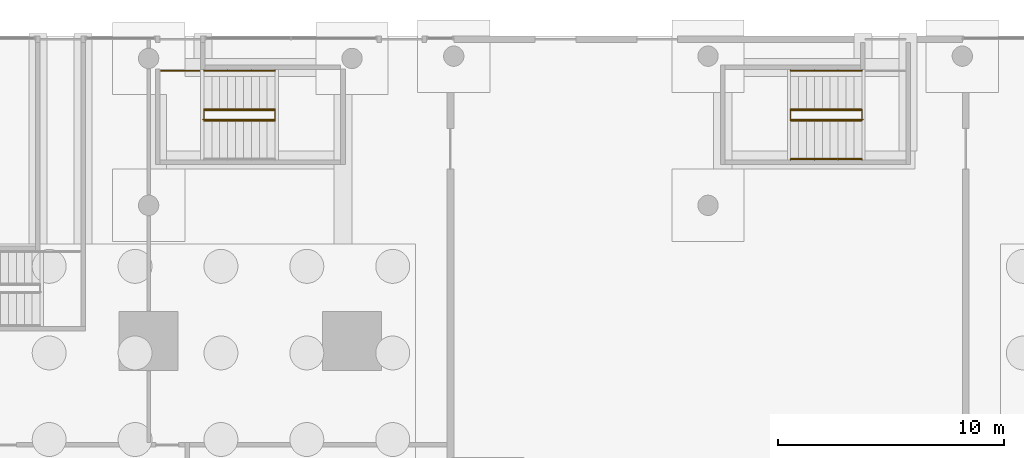
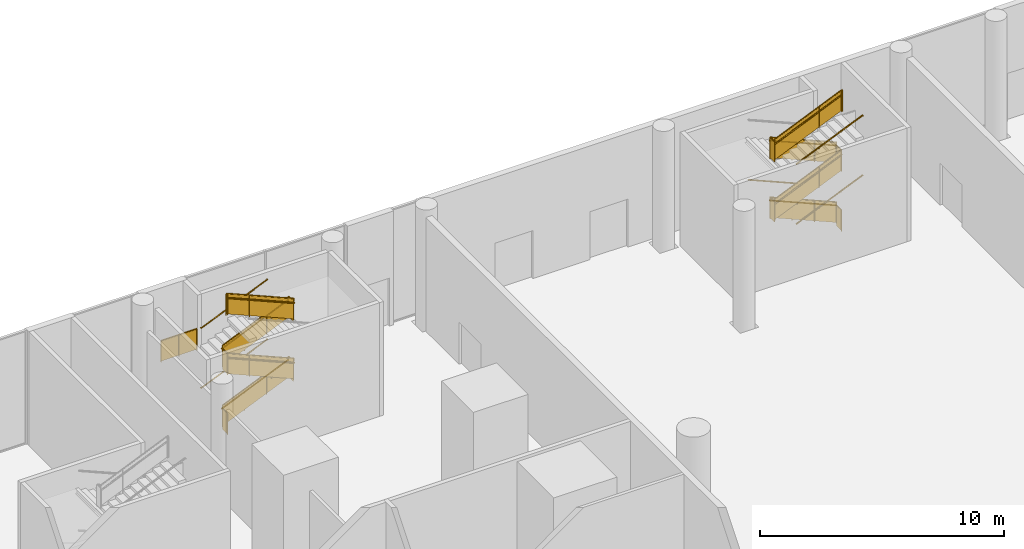
# One storey, part 28 of 31: 16 railings.
"""IFC4 building model written with IfcOpenShell, lengths in metres."""

from ifc_helpers import new_model, si_unit, direction, frame, origin, origin_2d, place, context, subcontext, project, spatial, polyline, circle, outline, extrude, material, type_object, element, save


model = new_model("IFC4")

# Units and contexts
model_context = context("Model", 3, precision=1e-05, world=origin(), true_north=direction((0.0, 1.0)))
body_context = subcontext(model_context, "Body", "Model", "MODEL_VIEW")
ifc_project = project(units=[si_unit("LENGTHUNIT", "METRE"), si_unit("AREAUNIT", "SQUARE_METRE"), si_unit("VOLUMEUNIT", "CUBIC_METRE"), si_unit("PLANEANGLEUNIT", "RADIAN"), si_unit("MASSUNIT", "GRAM", prefix="KILO")], contexts=[model_context])

# Site, building, storey
site_placement = place(None, origin())
site = spatial("IfcSite", under=ifc_project, at=site_placement, CompositionType="ELEMENT")
building_placement = place(site_placement, origin())
building = spatial("IfcBuilding", under=site, at=building_placement, Name="Namib Vertical Campus", CompositionType="ELEMENT")
storey_placement = place(building_placement, origin())
storey = spatial("IfcBuildingStorey", under=building, at=storey_placement, Name="L00", CompositionType="ELEMENT", Elevation=0.0)

# Railings
ifc_material_1 = material(Name="Steel handrail", Category="steel")
railing_type_1 = type_object("IfcRailingType", Name="Handrail 900", PredefinedType="HANDRAIL", material=ifc_material_1)
for number, where, name in (
    (1, (29.446044921875, 47.949951171875, 0.14990234375), "Handrail HR1 P-S1 L00 1"),
    (2, (29.446044921875, 47.949951171875, 3.14990234375), "Handrail HR1 P-S1 L00 3"),
):
    element("IfcRailing", number, at=place(storey_placement, frame(where)), inside=storey, type_object=railing_type_1, Name=name, PredefinedType="HANDRAIL", context=body_context, shape_type="SweptSolid", body=[
        extrude(circle(Radius=0.02392578125, at=origin_2d()), frame((0.0, 0.0, 0.8759765625), z_axis=(0.919141345424, 0.0, 0.393927895853), x_axis=(0.0, 1.0, 0.0)), (0.0, 0.0, 1.0), 3.42724609375),
        extrude(circle(Radius=0.008056640625, at=origin_2d()), frame((0.0, 0.0, 0.8759765625), z_axis=(0.0, 1.0, 0.0), x_axis=(0.0, 0.0, 1.0)), (0.0, 0.0, 1.0), 0.050048828125),
        extrude(circle(Radius=0.008056640625, at=origin_2d()), frame((1.050048828125, 0.0, 1.325927734375), z_axis=(0.0, 1.0, 0.0), x_axis=(0.0, 0.0, 1.0)), (0.0, 0.0, 1.0), 0.050048828125),
        extrude(circle(Radius=0.008056640625, at=origin_2d()), frame((2.10009765625, 0.0, 1.77587890625), z_axis=(0.0, 1.0, 0.0), x_axis=(0.0, 0.0, 1.0)), (0.0, 0.0, 1.0), 0.050048828125),
        extrude(circle(Radius=0.008056640625, at=origin_2d()), frame((3.150146484375, 0.0, 2.22607421875), z_axis=(0.0, 1.0, 0.0), x_axis=(0.0, 0.0, 1.0)), (0.0, 0.0, 1.0), 0.050048828125),
    ])
railing_1_placement = place(storey_placement, frame((29.446044921875, 46.25, 0.14990234375)))
element("IfcRailing", 3, at=railing_1_placement, inside=storey, type_object=railing_type_1, Name="Handrail HR1 P-S1 L00 1 at the well", PredefinedType="HANDRAIL", context=body_context, shape_type="SweptSolid", body=[
    extrude(circle(Radius=0.02392578125, at=origin_2d()), frame((0.0, 0.0, 0.8759765625), z_axis=(0.919141345424, 0.0, 0.393927895853), x_axis=(0.0, 1.0, 0.0)), (0.0, 0.0, 1.0), 3.42724609375),
    extrude(circle(Radius=0.008056640625, at=origin_2d()), frame((0.0, 0.0, 0.8759765625), z_axis=(0.0, -1.0, 0.0), x_axis=(0.0, 0.0, 1.0)), (0.0, 0.0, 1.0), 0.0400390625),
    extrude(circle(Radius=0.008056640625, at=origin_2d()), frame((1.050048828125, 0.0, 1.325927734375), z_axis=(0.0, -1.0, 0.0), x_axis=(0.0, 0.0, 1.0)), (0.0, 0.0, 1.0), 0.0400390625),
    extrude(circle(Radius=0.008056640625, at=origin_2d()), frame((2.10009765625, 0.0, 1.77587890625), z_axis=(0.0, -1.0, 0.0), x_axis=(0.0, 0.0, 1.0)), (0.0, 0.0, 1.0), 0.0400390625),
    extrude(circle(Radius=0.008056640625, at=origin_2d()), frame((3.150146484375, 0.0, 2.22607421875), z_axis=(0.0, -1.0, 0.0), x_axis=(0.0, 0.0, 1.0)), (0.0, 0.0, 1.0), 0.0400390625),
])
railing_2_placement = place(storey_placement, frame((32.59619140625, 45.75, 1.64990234375)))
element("IfcRailing", 4, at=railing_2_placement, inside=storey, type_object=railing_type_1, Name="Handrail HR1 P-S1 L00 2 at the well", PredefinedType="HANDRAIL", context=body_context, shape_type="SweptSolid", body=[
    extrude(circle(Radius=0.02392578125, at=origin_2d()), frame((0.0, 0.0, 0.8759765625), z_axis=(-0.919141345424, 0.0, 0.393927895853), x_axis=(0.0, -1.0, 0.0)), (0.0, 0.0, 1.0), 3.42724609375),
    extrude(circle(Radius=0.008056640625, at=origin_2d()), frame((0.0, 0.0, 0.8759765625), z_axis=(0.0, 1.0, 0.0), x_axis=(0.0, 0.0, 1.0)), (0.0, 0.0, 1.0), 0.0400390625),
    extrude(circle(Radius=0.008056640625, at=origin_2d()), frame((-1.050048828125, 0.0, 1.325927734375), z_axis=(0.0, 1.0, 0.0), x_axis=(0.0, 0.0, 1.0)), (0.0, 0.0, 1.0), 0.0400390625),
    extrude(circle(Radius=0.008056640625, at=origin_2d()), frame((-2.10009765625, 0.0, 1.77587890625), z_axis=(0.0, 1.0, 0.0), x_axis=(0.0, 0.0, 1.0)), (0.0, 0.0, 1.0), 0.0400390625),
    extrude(circle(Radius=0.008056640625, at=origin_2d()), frame((-3.150146484375, 0.0, 2.22607421875), z_axis=(0.0, 1.0, 0.0), x_axis=(0.0, 0.0, 1.0)), (0.0, 0.0, 1.0), 0.0400390625),
])
railing_3_placement = place(storey_placement, frame((29.446044921875, 46.25, 3.14990234375)))
element("IfcRailing", 5, at=railing_3_placement, inside=storey, type_object=railing_type_1, Name="Handrail HR1 P-S1 L00 3 at the well", PredefinedType="HANDRAIL", context=body_context, shape_type="SweptSolid", body=[
    extrude(circle(Radius=0.02392578125, at=origin_2d()), frame((0.0, 0.0, 0.8759765625), z_axis=(0.919141345424, 0.0, 0.393927895853), x_axis=(0.0, 1.0, 0.0)), (0.0, 0.0, 1.0), 3.42724609375),
    extrude(circle(Radius=0.008056640625, at=origin_2d()), frame((0.0, 0.0, 0.8759765625), z_axis=(0.0, -1.0, 0.0), x_axis=(0.0, 0.0, 1.0)), (0.0, 0.0, 1.0), 0.0400390625),
    extrude(circle(Radius=0.008056640625, at=origin_2d()), frame((1.050048828125, 0.0, 1.325927734375), z_axis=(0.0, -1.0, 0.0), x_axis=(0.0, 0.0, 1.0)), (0.0, 0.0, 1.0), 0.0400390625),
    extrude(circle(Radius=0.008056640625, at=origin_2d()), frame((2.10009765625, 0.0, 1.77587890625), z_axis=(0.0, -1.0, 0.0), x_axis=(0.0, 0.0, 1.0)), (0.0, 0.0, 1.0), 0.0400390625),
    extrude(circle(Radius=0.008056640625, at=origin_2d()), frame((3.150146484375, 0.0, 2.22607421875), z_axis=(0.0, -1.0, 0.0), x_axis=(0.0, 0.0, 1.0)), (0.0, 0.0, 1.0), 0.0400390625),
])
railing_4_placement = place(storey_placement, frame((32.59619140625, 45.75, 4.64990234375)))
element("IfcRailing", 6, at=railing_4_placement, inside=storey, type_object=railing_type_1, Name="Handrail HR1 P-S1 L00 4 at the well", PredefinedType="HANDRAIL", context=body_context, shape_type="SweptSolid", body=[
    extrude(circle(Radius=0.02392578125, at=origin_2d()), frame((0.0, 0.0, 0.8759765625), z_axis=(-0.919141345424, 0.0, 0.393927895853), x_axis=(0.0, -1.0, 0.0)), (0.0, 0.0, 1.0), 3.42724609375),
    extrude(circle(Radius=0.008056640625, at=origin_2d()), frame((0.0, 0.0, 0.8759765625), z_axis=(0.0, 1.0, 0.0), x_axis=(0.0, 0.0, 1.0)), (0.0, 0.0, 1.0), 0.0400390625),
    extrude(circle(Radius=0.008056640625, at=origin_2d()), frame((-1.050048828125, 0.0, 1.325927734375), z_axis=(0.0, 1.0, 0.0), x_axis=(0.0, 0.0, 1.0)), (0.0, 0.0, 1.0), 0.0400390625),
    extrude(circle(Radius=0.008056640625, at=origin_2d()), frame((-2.10009765625, 0.0, 1.77587890625), z_axis=(0.0, 1.0, 0.0), x_axis=(0.0, 0.0, 1.0)), (0.0, 0.0, 1.0), 0.0400390625),
    extrude(circle(Radius=0.008056640625, at=origin_2d()), frame((-3.150146484375, 0.0, 2.22607421875), z_axis=(0.0, 1.0, 0.0), x_axis=(0.0, 0.0, 1.0)), (0.0, 0.0, 1.0), 0.0400390625),
])
railing_5_placement = place(storey_placement, frame((58.553955078125, 47.949951171875, 0.14990234375)))
element("IfcRailing", 7, at=railing_5_placement, inside=storey, type_object=railing_type_1, Name="Handrail HR1 P-S3 L00 1", PredefinedType="HANDRAIL", context=body_context, shape_type="SweptSolid", body=[
    extrude(circle(Radius=0.02392578125, at=origin_2d()), frame((0.0, 0.0, 0.8759765625), z_axis=(-0.919141345424, 0.0, 0.393927895853), x_axis=(0.0, -1.0, 0.0)), (0.0, 0.0, 1.0), 3.42724609375),
    extrude(circle(Radius=0.008056640625, at=origin_2d()), frame((0.0, 0.0, 0.8759765625), z_axis=(0.0, 1.0, 0.0), x_axis=(0.0, 0.0, 1.0)), (0.0, 0.0, 1.0), 0.050048828125),
    extrude(circle(Radius=0.008056640625, at=origin_2d()), frame((-1.050048828125, 0.0, 1.325927734375), z_axis=(0.0, 1.0, 0.0), x_axis=(0.0, 0.0, 1.0)), (0.0, 0.0, 1.0), 0.050048828125),
    extrude(circle(Radius=0.008056640625, at=origin_2d()), frame((-2.10009765625, 0.0, 1.77587890625), z_axis=(0.0, 1.0, 0.0), x_axis=(0.0, 0.0, 1.0)), (0.0, 0.0, 1.0), 0.050048828125),
    extrude(circle(Radius=0.008056640625, at=origin_2d()), frame((-3.150146484375, 0.0, 2.22607421875), z_axis=(0.0, 1.0, 0.0), x_axis=(0.0, 0.0, 1.0)), (0.0, 0.0, 1.0), 0.050048828125),
])
for number, where, name in (
    (8, (55.40380859375, 44.050048828125, 1.64990234375), "Handrail HR1 P-S3 L00 2"),
    (9, (55.40380859375, 44.050048828125, 4.64990234375), "Handrail HR1 P-S3 L00 4"),
):
    element("IfcRailing", number, at=place(storey_placement, frame(where)), inside=storey, type_object=railing_type_1, Name=name, PredefinedType="HANDRAIL", context=body_context, shape_type="SweptSolid", body=[
        extrude(circle(Radius=0.02392578125, at=origin_2d()), frame((0.0, 0.0, 0.8759765625), z_axis=(0.919141345424, 0.0, 0.393927895853), x_axis=(0.0, 1.0, 0.0)), (0.0, 0.0, 1.0), 3.42724609375),
        extrude(circle(Radius=0.008056640625, at=origin_2d()), frame((0.0, 0.0, 0.8759765625), z_axis=(0.0, -1.0, 0.0), x_axis=(0.0, 0.0, 1.0)), (0.0, 0.0, 1.0), 0.050048828125),
        extrude(circle(Radius=0.008056640625, at=origin_2d()), frame((1.050048828125, 0.0, 1.325927734375), z_axis=(0.0, -1.0, 0.0), x_axis=(0.0, 0.0, 1.0)), (0.0, 0.0, 1.0), 0.050048828125),
        extrude(circle(Radius=0.008056640625, at=origin_2d()), frame((2.10009765625, 0.0, 1.77587890625), z_axis=(0.0, -1.0, 0.0), x_axis=(0.0, 0.0, 1.0)), (0.0, 0.0, 1.0), 0.050048828125),
        extrude(circle(Radius=0.008056640625, at=origin_2d()), frame((3.150146484375, 0.0, 2.22607421875), z_axis=(0.0, -1.0, 0.0), x_axis=(0.0, 0.0, 1.0)), (0.0, 0.0, 1.0), 0.050048828125),
    ])
railing_6_placement = place(storey_placement, frame((58.553955078125, 46.25, 0.14990234375)))
element("IfcRailing", 10, at=railing_6_placement, inside=storey, type_object=railing_type_1, Name="Handrail HR1 P-S3 L00 1 at the well", PredefinedType="HANDRAIL", context=body_context, shape_type="SweptSolid", body=[
    extrude(circle(Radius=0.02392578125, at=origin_2d()), frame((0.0, 0.0, 0.8759765625), z_axis=(-0.919141345424, 0.0, 0.393927895853), x_axis=(0.0, -1.0, 0.0)), (0.0, 0.0, 1.0), 3.42724609375),
    extrude(circle(Radius=0.008056640625, at=origin_2d()), frame((0.0, 0.0, 0.8759765625), z_axis=(0.0, -1.0, 0.0), x_axis=(0.0, 0.0, 1.0)), (0.0, 0.0, 1.0), 0.0400390625),
    extrude(circle(Radius=0.008056640625, at=origin_2d()), frame((-1.050048828125, 0.0, 1.325927734375), z_axis=(0.0, -1.0, 0.0), x_axis=(0.0, 0.0, 1.0)), (0.0, 0.0, 1.0), 0.0400390625),
    extrude(circle(Radius=0.008056640625, at=origin_2d()), frame((-2.10009765625, 0.0, 1.77587890625), z_axis=(0.0, -1.0, 0.0), x_axis=(0.0, 0.0, 1.0)), (0.0, 0.0, 1.0), 0.0400390625),
    extrude(circle(Radius=0.008056640625, at=origin_2d()), frame((-3.150146484375, 0.0, 2.22607421875), z_axis=(0.0, -1.0, 0.0), x_axis=(0.0, 0.0, 1.0)), (0.0, 0.0, 1.0), 0.0400390625),
])
railing_7_placement = place(storey_placement, frame((55.40380859375, 45.75, 1.64990234375)))
element("IfcRailing", 11, at=railing_7_placement, inside=storey, type_object=railing_type_1, Name="Handrail HR1 P-S3 L00 2 at the well", PredefinedType="HANDRAIL", context=body_context, shape_type="SweptSolid", body=[
    extrude(circle(Radius=0.02392578125, at=origin_2d()), frame((0.0, 0.0, 0.8759765625), z_axis=(0.919141345424, 0.0, 0.393927895853), x_axis=(0.0, 1.0, 0.0)), (0.0, 0.0, 1.0), 3.42724609375),
    extrude(circle(Radius=0.008056640625, at=origin_2d()), frame((0.0, 0.0, 0.8759765625), z_axis=(0.0, 1.0, 0.0), x_axis=(0.0, 0.0, 1.0)), (0.0, 0.0, 1.0), 0.0400390625),
    extrude(circle(Radius=0.008056640625, at=origin_2d()), frame((1.050048828125, 0.0, 1.325927734375), z_axis=(0.0, 1.0, 0.0), x_axis=(0.0, 0.0, 1.0)), (0.0, 0.0, 1.0), 0.0400390625),
    extrude(circle(Radius=0.008056640625, at=origin_2d()), frame((2.10009765625, 0.0, 1.77587890625), z_axis=(0.0, 1.0, 0.0), x_axis=(0.0, 0.0, 1.0)), (0.0, 0.0, 1.0), 0.0400390625),
    extrude(circle(Radius=0.008056640625, at=origin_2d()), frame((3.150146484375, 0.0, 2.22607421875), z_axis=(0.0, 1.0, 0.0), x_axis=(0.0, 0.0, 1.0)), (0.0, 0.0, 1.0), 0.0400390625),
])
railing_8_placement = place(storey_placement, frame((58.553955078125, 46.25, 3.14990234375)))
element("IfcRailing", 12, at=railing_8_placement, inside=storey, type_object=railing_type_1, Name="Handrail HR1 P-S3 L00 3 at the well", PredefinedType="HANDRAIL", context=body_context, shape_type="SweptSolid", body=[
    extrude(circle(Radius=0.02392578125, at=origin_2d()), frame((0.0, 0.0, 0.8759765625), z_axis=(-0.919141345424, 0.0, 0.393927895853), x_axis=(0.0, -1.0, 0.0)), (0.0, 0.0, 1.0), 3.42724609375),
    extrude(circle(Radius=0.008056640625, at=origin_2d()), frame((0.0, 0.0, 0.8759765625), z_axis=(0.0, -1.0, 0.0), x_axis=(0.0, 0.0, 1.0)), (0.0, 0.0, 1.0), 0.0400390625),
    extrude(circle(Radius=0.008056640625, at=origin_2d()), frame((-1.050048828125, 0.0, 1.325927734375), z_axis=(0.0, -1.0, 0.0), x_axis=(0.0, 0.0, 1.0)), (0.0, 0.0, 1.0), 0.0400390625),
    extrude(circle(Radius=0.008056640625, at=origin_2d()), frame((-2.10009765625, 0.0, 1.77587890625), z_axis=(0.0, -1.0, 0.0), x_axis=(0.0, 0.0, 1.0)), (0.0, 0.0, 1.0), 0.0400390625),
    extrude(circle(Radius=0.008056640625, at=origin_2d()), frame((-3.150146484375, 0.0, 2.22607421875), z_axis=(0.0, -1.0, 0.0), x_axis=(0.0, 0.0, 1.0)), (0.0, 0.0, 1.0), 0.0400390625),
])
railing_9_placement = place(storey_placement, frame((55.40380859375, 45.75, 4.64990234375)))
element("IfcRailing", 13, at=railing_9_placement, inside=storey, type_object=railing_type_1, Name="Handrail HR1 P-S3 L00 4 at the well", PredefinedType="HANDRAIL", context=body_context, shape_type="SweptSolid", body=[
    extrude(circle(Radius=0.02392578125, at=origin_2d()), frame((0.0, 0.0, 0.8759765625), z_axis=(0.919141345424, 0.0, 0.393927895853), x_axis=(0.0, 1.0, 0.0)), (0.0, 0.0, 1.0), 3.42724609375),
    extrude(circle(Radius=0.008056640625, at=origin_2d()), frame((0.0, 0.0, 0.8759765625), z_axis=(0.0, 1.0, 0.0), x_axis=(0.0, 0.0, 1.0)), (0.0, 0.0, 1.0), 0.0400390625),
    extrude(circle(Radius=0.008056640625, at=origin_2d()), frame((1.050048828125, 0.0, 1.325927734375), z_axis=(0.0, 1.0, 0.0), x_axis=(0.0, 0.0, 1.0)), (0.0, 0.0, 1.0), 0.0400390625),
    extrude(circle(Radius=0.008056640625, at=origin_2d()), frame((2.10009765625, 0.0, 1.77587890625), z_axis=(0.0, 1.0, 0.0), x_axis=(0.0, 0.0, 1.0)), (0.0, 0.0, 1.0), 0.0400390625),
    extrude(circle(Radius=0.008056640625, at=origin_2d()), frame((3.150146484375, 0.0, 2.22607421875), z_axis=(0.0, 1.0, 0.0), x_axis=(0.0, 0.0, 1.0)), (0.0, 0.0, 1.0), 0.0400390625),
])
ifc_material_2 = material(Name="Steel balustrade", Category="steel")
railing_type_2 = type_object("IfcRailingType", Name="Stair guard 1100", PredefinedType="GUARDRAIL", material=ifc_material_2)
railing_10_placement = place(storey_placement, frame((29.446044921875, 45.800048828125, 0.0)))
element("IfcRailing", 14, at=railing_10_placement, inside=storey, type_object=railing_type_2, Name="Stair guard GR1 P-S1 L00", PredefinedType="GUARDRAIL", context=body_context, shape_type="SweptSolid", body=[
    extrude(circle(Radius=0.02392578125, at=origin_2d()), frame((0.0, 0.0, 1.076171875), z_axis=(0.0, 1.0, 0.0), x_axis=(-1.0, 0.0, 0.0)), (0.0, 0.0, 1.0), 0.39990234375),
    extrude(outline(polyline([(0.02099609375, 0.050048828125), (0.37890625, 0.050048828125), (0.37890625, 1.052001953125), (0.02099609375, 1.052001953125), (0.02099609375, 0.050048828125)])), frame((-0.010009765625, 0.0, 0.0), z_axis=(1.0, 0.0, 0.0), x_axis=(0.0, 1.0, 0.0)), (0.0, 0.0, 1.0), 0.02001953125),
    extrude(circle(Radius=0.02392578125, at=origin_2d()), frame((0.0, 0.39990234375, 1.076171875), z_axis=(0.0, 0.0, 1.0), x_axis=(1.0, 0.0, 0.0)), (0.0, 0.0, 1.0), 0.14990234375),
    extrude(circle(Radius=0.02392578125, at=origin_2d()), frame((0.0, 0.39990234375, 1.22607421875), z_axis=(0.919141345424, 0.0, 0.393927895853), x_axis=(0.0, 1.0, 0.0)), (0.0, 0.0, 1.0), 3.42724609375),
    extrude(outline(polyline([(0.02099609375, 0.05908203125), (3.129150390625, 1.39111328125), (3.129150390625, 2.39306640625), (0.02099609375, 1.06103515625), (0.02099609375, 0.05908203125)])), frame((0.0, 0.409912109375, 0.14990234375), z_axis=(0.0, -1.0, 0.0), x_axis=(1.0, 0.0, 0.0)), (0.0, 0.0, 1.0), 0.02001953125),
    extrude(circle(Radius=0.02392578125, at=origin_2d()), frame((3.150146484375, 0.39990234375, 2.576171875), z_axis=(0.0, -1.0, 0.0), x_axis=(1.0, 0.0, 0.0)), (0.0, 0.0, 1.0), 0.39990234375),
    extrude(outline(polyline([(0.02099609375, 0.050048828125), (0.37890625, 0.050048828125), (0.37890625, 1.052001953125), (0.02099609375, 1.052001953125), (0.02099609375, 0.050048828125)])), frame((3.16015625, 0.39990234375, 1.5), z_axis=(-1.0, 0.0, 0.0), x_axis=(0.0, -1.0, 0.0)), (0.0, 0.0, 1.0), 0.02001953125),
    extrude(circle(Radius=0.02392578125, at=origin_2d()), frame((3.150146484375, 0.0, 2.576171875), z_axis=(0.0, 0.0, 1.0), x_axis=(1.0, 0.0, 0.0)), (0.0, 0.0, 1.0), 0.14990234375),
    extrude(circle(Radius=0.02392578125, at=origin_2d()), frame((3.150146484375, 0.0, 2.72607421875), z_axis=(-0.919141345424, 0.0, 0.393927895853), x_axis=(0.0, -1.0, 0.0)), (0.0, 0.0, 1.0), 3.42724609375),
    extrude(outline(polyline([(0.02099609375, 0.05908203125), (3.129150390625, 1.39111328125), (3.129150390625, 2.39306640625), (0.02099609375, 1.06103515625), (0.02099609375, 0.05908203125)])), frame((3.150146484375, -0.010009765625, 1.64990234375), z_axis=(0.0, 1.0, 0.0), x_axis=(-1.0, 0.0, 0.0)), (0.0, 0.0, 1.0), 0.02001953125),
    extrude(circle(Radius=0.02392578125, at=origin_2d()), frame((0.0, 0.0, 4.076171875), z_axis=(0.0, 1.0, 0.0), x_axis=(-1.0, 0.0, 0.0)), (0.0, 0.0, 1.0), 0.39990234375),
    extrude(outline(polyline([(0.02099609375, 0.050048828125), (0.37890625, 0.050048828125), (0.37890625, 1.052001953125), (0.02099609375, 1.052001953125), (0.02099609375, 0.050048828125)])), frame((-0.010009765625, 0.0, 3.0), z_axis=(1.0, 0.0, 0.0), x_axis=(0.0, 1.0, 0.0)), (0.0, 0.0, 1.0), 0.02001953125),
    extrude(circle(Radius=0.02392578125, at=origin_2d()), frame((0.0, 0.39990234375, 4.076171875), z_axis=(0.0, 0.0, 1.0), x_axis=(1.0, 0.0, 0.0)), (0.0, 0.0, 1.0), 0.14990234375),
    extrude(circle(Radius=0.02392578125, at=origin_2d()), frame((0.0, 0.39990234375, 4.22607421875), z_axis=(0.919141345424, 0.0, 0.393927895853), x_axis=(0.0, 1.0, 0.0)), (0.0, 0.0, 1.0), 3.42724609375),
    extrude(outline(polyline([(0.02099609375, 0.05908203125), (3.129150390625, 1.39111328125), (3.129150390625, 2.39306640625), (0.02099609375, 1.06103515625), (0.02099609375, 0.05908203125)])), frame((0.0, 0.409912109375, 3.14990234375), z_axis=(0.0, -1.0, 0.0), x_axis=(1.0, 0.0, 0.0)), (0.0, 0.0, 1.0), 0.02001953125),
    extrude(circle(Radius=0.02392578125, at=origin_2d()), frame((3.150146484375, 0.39990234375, 5.576171875), z_axis=(0.0, -1.0, 0.0), x_axis=(1.0, 0.0, 0.0)), (0.0, 0.0, 1.0), 0.39990234375),
    extrude(outline(polyline([(0.02099609375, 0.050048828125), (0.37890625, 0.050048828125), (0.37890625, 1.052001953125), (0.02099609375, 1.052001953125), (0.02099609375, 0.050048828125)])), frame((3.16015625, 0.39990234375, 4.5), z_axis=(-1.0, 0.0, 0.0), x_axis=(0.0, -1.0, 0.0)), (0.0, 0.0, 1.0), 0.02001953125),
    extrude(circle(Radius=0.02392578125, at=origin_2d()), frame((3.150146484375, 0.0, 5.576171875), z_axis=(0.0, 0.0, 1.0), x_axis=(1.0, 0.0, 0.0)), (0.0, 0.0, 1.0), 0.14990234375),
    extrude(circle(Radius=0.02392578125, at=origin_2d()), frame((3.150146484375, 0.0, 5.72607421875), z_axis=(-0.919141345424, 0.0, 0.393927895853), x_axis=(0.0, -1.0, 0.0)), (0.0, 0.0, 1.0), 3.42724609375),
    extrude(outline(polyline([(0.02099609375, 0.05908203125), (3.129150390625, 1.39111328125), (3.129150390625, 2.39306640625), (0.02099609375, 1.06103515625), (0.02099609375, 0.05908203125)])), frame((3.150146484375, -0.010009765625, 4.64990234375), z_axis=(0.0, 1.0, 0.0), x_axis=(-1.0, 0.0, 0.0)), (0.0, 0.0, 1.0), 0.02001953125),
    extrude(circle(Radius=0.02392578125, at=origin_2d()), frame((0.0, 0.0, 7.076171875), z_axis=(-1.0, 0.0, 0.0), x_axis=(0.0, -1.0, 0.0)), (0.0, 0.0, 1.0), 0.050048828125),
    extrude(outline(polyline([(0.02099609375, 0.050048828125), (0.029052734375, 0.050048828125), (0.029052734375, 1.052001953125), (0.02099609375, 1.052001953125), (0.02099609375, 0.050048828125)])), frame((0.0, -0.010009765625, 6.0), z_axis=(0.0, 1.0, 0.0), x_axis=(-1.0, 0.0, 0.0)), (0.0, 0.0, 1.0), 0.02001953125),
    extrude(circle(Radius=0.02099609375, at=origin_2d()), origin(), (0.0, 0.0, 1.0), 1.052001953125),
    extrude(circle(Radius=0.02099609375, at=origin_2d()), frame((0.0, 0.39990234375, 0.14990234375)), (0.0, 0.0, 1.0), 1.052001953125),
    extrude(circle(Radius=0.02099609375, at=origin_2d()), frame((1.050048828125, 0.39990234375, 0.599853515625)), (0.0, 0.0, 1.0), 1.052001953125),
    extrude(circle(Radius=0.02099609375, at=origin_2d()), frame((2.10009765625, 0.39990234375, 1.0498046875)), (0.0, 0.0, 1.0), 1.052001953125),
    extrude(circle(Radius=0.02099609375, at=origin_2d()), frame((3.150146484375, 0.39990234375, 1.5)), (0.0, 0.0, 1.0), 1.052001953125),
    extrude(circle(Radius=0.02099609375, at=origin_2d()), frame((3.150146484375, 0.0, 1.64990234375)), (0.0, 0.0, 1.0), 1.052001953125),
    extrude(circle(Radius=0.02099609375, at=origin_2d()), frame((2.10009765625, 0.0, 2.099853515625)), (0.0, 0.0, 1.0), 1.052001953125),
    extrude(circle(Radius=0.02099609375, at=origin_2d()), frame((1.050048828125, 0.0, 2.5498046875)), (0.0, 0.0, 1.0), 1.052001953125),
    extrude(circle(Radius=0.02099609375, at=origin_2d()), frame((0.0, 0.0, 3.0)), (0.0, 0.0, 1.0), 1.052001953125),
    extrude(circle(Radius=0.02099609375, at=origin_2d()), frame((0.0, 0.39990234375, 3.14990234375)), (0.0, 0.0, 1.0), 1.052001953125),
    extrude(circle(Radius=0.02099609375, at=origin_2d()), frame((1.050048828125, 0.39990234375, 3.599853515625)), (0.0, 0.0, 1.0), 1.052001953125),
    extrude(circle(Radius=0.02099609375, at=origin_2d()), frame((2.10009765625, 0.39990234375, 4.0498046875)), (0.0, 0.0, 1.0), 1.052001953125),
    extrude(circle(Radius=0.02099609375, at=origin_2d()), frame((3.150146484375, 0.39990234375, 4.5)), (0.0, 0.0, 1.0), 1.052001953125),
    extrude(circle(Radius=0.02099609375, at=origin_2d()), frame((3.150146484375, 0.0, 4.64990234375)), (0.0, 0.0, 1.0), 1.052001953125),
    extrude(circle(Radius=0.02099609375, at=origin_2d()), frame((2.10009765625, 0.0, 5.099853515625)), (0.0, 0.0, 1.0), 1.052001953125),
    extrude(circle(Radius=0.02099609375, at=origin_2d()), frame((1.050048828125, 0.0, 5.5498046875)), (0.0, 0.0, 1.0), 1.052001953125),
    extrude(circle(Radius=0.02099609375, at=origin_2d()), frame((0.0, 0.0, 6.0)), (0.0, 0.0, 1.0), 1.052001953125),
    extrude(circle(Radius=0.02099609375, at=origin_2d()), frame((-0.050048828125, 0.0, 6.0)), (0.0, 0.0, 1.0), 1.052001953125),
])
railing_11_placement = place(storey_placement, frame((27.550048828125, 47.949951171875, 3.0)))
element("IfcRailing", 15, at=railing_11_placement, inside=storey, type_object=railing_type_2, Name="Stair guard GR1 P-S1 L00 over the exit vestibule 1", PredefinedType="GUARDRAIL", context=body_context, shape_type="SweptSolid", body=[
    extrude(circle(Radius=0.02392578125, at=origin_2d()), frame((0.0, 0.0, 1.076171875), z_axis=(1.0, 0.0, 0.0), x_axis=(0.0, 1.0, 0.0)), (0.0, 0.0, 1.0), 1.699951171875),
    extrude(outline(polyline([(0.02099609375, 0.050048828125), (1.678955078125, 0.050048828125), (1.678955078125, 1.052001953125), (0.02099609375, 1.052001953125), (0.02099609375, 0.050048828125)])), frame((0.0, 0.010009765625, 0.0), z_axis=(0.0, -1.0, 0.0), x_axis=(1.0, 0.0, 0.0)), (0.0, 0.0, 1.0), 0.02001953125),
    extrude(circle(Radius=0.02099609375, at=origin_2d()), origin(), (0.0, 0.0, 1.0), 1.052001953125),
    extrude(circle(Radius=0.02099609375, at=origin_2d()), frame((0.85009765625, 0.0, 0.0)), (0.0, 0.0, 1.0), 1.052001953125),
    extrude(circle(Radius=0.02099609375, at=origin_2d()), frame((1.699951171875, 0.0, 0.0)), (0.0, 0.0, 1.0), 1.052001953125),
])
railing_12_placement = place(storey_placement, frame((58.553955078125, 45.800048828125, 0.0)))
element("IfcRailing", 16, at=railing_12_placement, inside=storey, type_object=railing_type_2, Name="Stair guard GR1 P-S3 L00", PredefinedType="GUARDRAIL", context=body_context, shape_type="SweptSolid", body=[
    extrude(circle(Radius=0.02392578125, at=origin_2d()), frame((0.0, 0.0, 1.076171875), z_axis=(0.0, 1.0, 0.0), x_axis=(-1.0, 0.0, 0.0)), (0.0, 0.0, 1.0), 0.39990234375),
    extrude(outline(polyline([(0.02099609375, 0.050048828125), (0.37890625, 0.050048828125), (0.37890625, 1.052001953125), (0.02099609375, 1.052001953125), (0.02099609375, 0.050048828125)])), frame((-0.010009765625, 0.0, 0.0), z_axis=(1.0, 0.0, 0.0), x_axis=(0.0, 1.0, 0.0)), (0.0, 0.0, 1.0), 0.02001953125),
    extrude(circle(Radius=0.02392578125, at=origin_2d()), frame((0.0, 0.39990234375, 1.076171875), z_axis=(0.0, 0.0, 1.0), x_axis=(1.0, 0.0, 0.0)), (0.0, 0.0, 1.0), 0.14990234375),
    extrude(circle(Radius=0.02392578125, at=origin_2d()), frame((0.0, 0.39990234375, 1.22607421875), z_axis=(-0.919141345424, 0.0, 0.393927895853), x_axis=(0.0, -1.0, 0.0)), (0.0, 0.0, 1.0), 3.42724609375),
    extrude(outline(polyline([(0.02099609375, 0.05908203125), (3.129150390625, 1.39111328125), (3.129150390625, 2.39306640625), (0.02099609375, 1.06103515625), (0.02099609375, 0.05908203125)])), frame((0.0, 0.389892578125, 0.14990234375), z_axis=(0.0, 1.0, 0.0), x_axis=(-1.0, 0.0, 0.0)), (0.0, 0.0, 1.0), 0.02001953125),
    extrude(circle(Radius=0.02392578125, at=origin_2d()), frame((-3.150146484375, 0.39990234375, 2.576171875), z_axis=(0.0, -1.0, 0.0), x_axis=(1.0, 0.0, 0.0)), (0.0, 0.0, 1.0), 0.39990234375),
    extrude(outline(polyline([(0.02099609375, 0.050048828125), (0.37890625, 0.050048828125), (0.37890625, 1.052001953125), (0.02099609375, 1.052001953125), (0.02099609375, 0.050048828125)])), frame((-3.14013671875, 0.39990234375, 1.5), z_axis=(-1.0, 0.0, 0.0), x_axis=(0.0, -1.0, 0.0)), (0.0, 0.0, 1.0), 0.02001953125),
    extrude(circle(Radius=0.02392578125, at=origin_2d()), frame((-3.150146484375, 0.0, 2.576171875), z_axis=(0.0, 0.0, 1.0), x_axis=(1.0, 0.0, 0.0)), (0.0, 0.0, 1.0), 0.14990234375),
    extrude(circle(Radius=0.02392578125, at=origin_2d()), frame((-3.150146484375, 0.0, 2.72607421875), z_axis=(0.919141345424, 0.0, 0.393927895853), x_axis=(0.0, 1.0, 0.0)), (0.0, 0.0, 1.0), 3.42724609375),
    extrude(outline(polyline([(0.02099609375, 0.05908203125), (3.129150390625, 1.39111328125), (3.129150390625, 2.39306640625), (0.02099609375, 1.06103515625), (0.02099609375, 0.05908203125)])), frame((-3.150146484375, 0.010009765625, 1.64990234375), z_axis=(0.0, -1.0, 0.0), x_axis=(1.0, 0.0, 0.0)), (0.0, 0.0, 1.0), 0.02001953125),
    extrude(circle(Radius=0.02392578125, at=origin_2d()), frame((0.0, 0.0, 4.076171875), z_axis=(0.0, 1.0, 0.0), x_axis=(-1.0, 0.0, 0.0)), (0.0, 0.0, 1.0), 0.39990234375),
    extrude(outline(polyline([(0.02099609375, 0.050048828125), (0.37890625, 0.050048828125), (0.37890625, 1.052001953125), (0.02099609375, 1.052001953125), (0.02099609375, 0.050048828125)])), frame((-0.010009765625, 0.0, 3.0), z_axis=(1.0, 0.0, 0.0), x_axis=(0.0, 1.0, 0.0)), (0.0, 0.0, 1.0), 0.02001953125),
    extrude(circle(Radius=0.02392578125, at=origin_2d()), frame((0.0, 0.39990234375, 4.076171875), z_axis=(0.0, 0.0, 1.0), x_axis=(1.0, 0.0, 0.0)), (0.0, 0.0, 1.0), 0.14990234375),
    extrude(circle(Radius=0.02392578125, at=origin_2d()), frame((0.0, 0.39990234375, 4.22607421875), z_axis=(-0.919141345424, 0.0, 0.393927895853), x_axis=(0.0, -1.0, 0.0)), (0.0, 0.0, 1.0), 3.42724609375),
    extrude(outline(polyline([(0.02099609375, 0.05908203125), (3.129150390625, 1.39111328125), (3.129150390625, 2.39306640625), (0.02099609375, 1.06103515625), (0.02099609375, 0.05908203125)])), frame((0.0, 0.389892578125, 3.14990234375), z_axis=(0.0, 1.0, 0.0), x_axis=(-1.0, 0.0, 0.0)), (0.0, 0.0, 1.0), 0.02001953125),
    extrude(circle(Radius=0.02392578125, at=origin_2d()), frame((-3.150146484375, 0.39990234375, 5.576171875), z_axis=(0.0, -1.0, 0.0), x_axis=(1.0, 0.0, 0.0)), (0.0, 0.0, 1.0), 0.39990234375),
    extrude(outline(polyline([(0.02099609375, 0.050048828125), (0.37890625, 0.050048828125), (0.37890625, 1.052001953125), (0.02099609375, 1.052001953125), (0.02099609375, 0.050048828125)])), frame((-3.14013671875, 0.39990234375, 4.5), z_axis=(-1.0, 0.0, 0.0), x_axis=(0.0, -1.0, 0.0)), (0.0, 0.0, 1.0), 0.02001953125),
    extrude(circle(Radius=0.02392578125, at=origin_2d()), frame((-3.150146484375, 0.0, 5.576171875), z_axis=(0.0, 0.0, 1.0), x_axis=(1.0, 0.0, 0.0)), (0.0, 0.0, 1.0), 0.14990234375),
    extrude(circle(Radius=0.02392578125, at=origin_2d()), frame((-3.150146484375, 0.0, 5.72607421875), z_axis=(0.919141345424, 0.0, 0.393927895853), x_axis=(0.0, 1.0, 0.0)), (0.0, 0.0, 1.0), 3.42724609375),
    extrude(outline(polyline([(0.02099609375, 0.05908203125), (3.129150390625, 1.39111328125), (3.129150390625, 2.39306640625), (0.02099609375, 1.06103515625), (0.02099609375, 0.05908203125)])), frame((-3.150146484375, 0.010009765625, 4.64990234375), z_axis=(0.0, -1.0, 0.0), x_axis=(1.0, 0.0, 0.0)), (0.0, 0.0, 1.0), 0.02001953125),
    extrude(circle(Radius=0.02392578125, at=origin_2d()), frame((0.0, 0.0, 7.076171875), z_axis=(1.0, 0.0, 0.0), x_axis=(0.0, 1.0, 0.0)), (0.0, 0.0, 1.0), 0.050048828125),
    extrude(outline(polyline([(0.02099609375, 0.050048828125), (0.029052734375, 0.050048828125), (0.029052734375, 1.052001953125), (0.02099609375, 1.052001953125), (0.02099609375, 0.050048828125)])), frame((0.0, 0.010009765625, 6.0), z_axis=(0.0, -1.0, 0.0), x_axis=(1.0, 0.0, 0.0)), (0.0, 0.0, 1.0), 0.02001953125),
    extrude(circle(Radius=0.02099609375, at=origin_2d()), origin(), (0.0, 0.0, 1.0), 1.052001953125),
    extrude(circle(Radius=0.02099609375, at=origin_2d()), frame((0.0, 0.39990234375, 0.14990234375)), (0.0, 0.0, 1.0), 1.052001953125),
    extrude(circle(Radius=0.02099609375, at=origin_2d()), frame((-1.050048828125, 0.39990234375, 0.599853515625)), (0.0, 0.0, 1.0), 1.052001953125),
    extrude(circle(Radius=0.02099609375, at=origin_2d()), frame((-2.10009765625, 0.39990234375, 1.0498046875)), (0.0, 0.0, 1.0), 1.052001953125),
    extrude(circle(Radius=0.02099609375, at=origin_2d()), frame((-3.150146484375, 0.39990234375, 1.5)), (0.0, 0.0, 1.0), 1.052001953125),
    extrude(circle(Radius=0.02099609375, at=origin_2d()), frame((-3.150146484375, 0.0, 1.64990234375)), (0.0, 0.0, 1.0), 1.052001953125),
    extrude(circle(Radius=0.02099609375, at=origin_2d()), frame((-2.10009765625, 0.0, 2.099853515625)), (0.0, 0.0, 1.0), 1.052001953125),
    extrude(circle(Radius=0.02099609375, at=origin_2d()), frame((-1.050048828125, 0.0, 2.5498046875)), (0.0, 0.0, 1.0), 1.052001953125),
    extrude(circle(Radius=0.02099609375, at=origin_2d()), frame((0.0, 0.0, 3.0)), (0.0, 0.0, 1.0), 1.052001953125),
    extrude(circle(Radius=0.02099609375, at=origin_2d()), frame((0.0, 0.39990234375, 3.14990234375)), (0.0, 0.0, 1.0), 1.052001953125),
    extrude(circle(Radius=0.02099609375, at=origin_2d()), frame((-1.050048828125, 0.39990234375, 3.599853515625)), (0.0, 0.0, 1.0), 1.052001953125),
    extrude(circle(Radius=0.02099609375, at=origin_2d()), frame((-2.10009765625, 0.39990234375, 4.0498046875)), (0.0, 0.0, 1.0), 1.052001953125),
    extrude(circle(Radius=0.02099609375, at=origin_2d()), frame((-3.150146484375, 0.39990234375, 4.5)), (0.0, 0.0, 1.0), 1.052001953125),
    extrude(circle(Radius=0.02099609375, at=origin_2d()), frame((-3.150146484375, 0.0, 4.64990234375)), (0.0, 0.0, 1.0), 1.052001953125),
    extrude(circle(Radius=0.02099609375, at=origin_2d()), frame((-2.10009765625, 0.0, 5.099853515625)), (0.0, 0.0, 1.0), 1.052001953125),
    extrude(circle(Radius=0.02099609375, at=origin_2d()), frame((-1.050048828125, 0.0, 5.5498046875)), (0.0, 0.0, 1.0), 1.052001953125),
    extrude(circle(Radius=0.02099609375, at=origin_2d()), frame((0.0, 0.0, 6.0)), (0.0, 0.0, 1.0), 1.052001953125),
    extrude(circle(Radius=0.02099609375, at=origin_2d()), frame((0.050048828125, 0.0, 6.0)), (0.0, 0.0, 1.0), 1.052001953125),
])

save(model, "model.ifc")
